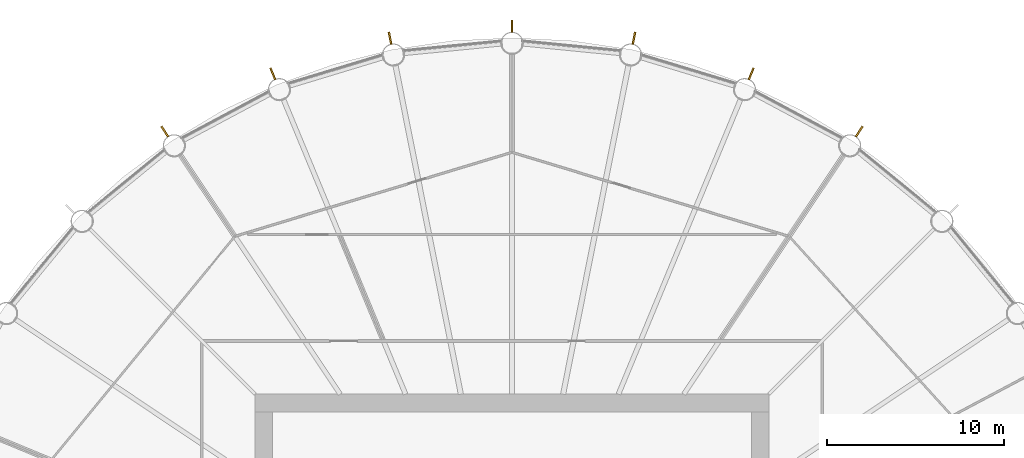
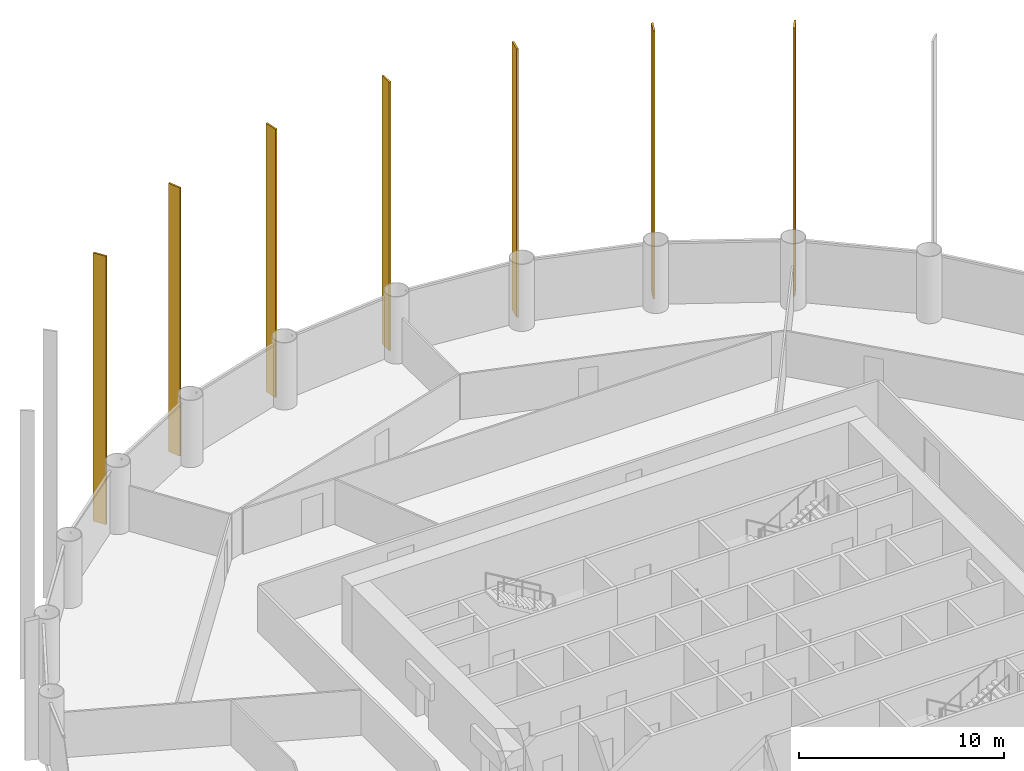
# One storey, part 10 of 10: 7 shading devices.
"""IFC4 building model written with IfcOpenShell, lengths in metres."""

import ifcopenshell
import ifcopenshell.guid

model = None  # the IFC model being written
_history = None  # IfcOwnerHistory: only IFC2X3 demands one
_inside = {}  # id of a spatial element -> (the spatial element, [elements in it])
_under = {}  # id of a project, library or spatial element -> (it, [spatial elements below it])
_declared = {}  # id of a project -> (the project, [libraries it declares])
_typed = {}  # id of a type object -> (the type object, [elements of that type])
_made_of = {}  # id of a material, layer set ... -> (it, [elements and type objects made of it])


def new_model(schema):
    """Start an empty IFC model of exactly this schema.

    Asked for "IFC4X3", IfcOpenShell would pick the latest addendum, in which some entities
    have other attributes; the version numbers below select the first issue.
    IFC2X3 requires an IfcOwnerHistory on every rooted entity: one is made here for all.
    """
    global model, _history
    if schema == "IFC4X3":
        model = ifcopenshell.file(schema_version=(4, 3, 0, 0))
    else:
        model = ifcopenshell.file(schema=schema)
    _inside.clear()
    _under.clear()
    _declared.clear()
    _typed.clear()
    _made_of.clear()
    _history = None
    if model.schema == "IFC2X3":
        org = make("IfcOrganization", Name="unknown")
        user = make(
            "IfcPersonAndOrganization",
            ThePerson=make("IfcPerson", FamilyName="unknown"),
            TheOrganization=org,
        )
        app = make(
            "IfcApplication",
            ApplicationDeveloper=org,
            Version="unknown",
            ApplicationFullName="unknown",
            ApplicationIdentifier="unknown",
        )
        _history = make(
            "IfcOwnerHistory",
            OwningUser=user,
            OwningApplication=app,
            ChangeAction="ADDED",
            CreationDate=0,
        )
    return model


def make(cls, **values):
    """One entity of the class cls with the attributes given. An attribute that is None is left unset."""
    return model.create_entity(
        cls, **{name: value for name, value in values.items() if value is not None}
    )


def rooted(cls, **values):
    """An entity with a GlobalId (a new one), such as an element, a storey or a relation."""
    return make(cls, GlobalId=ifcopenshell.guid.new(), OwnerHistory=_history, **values)


def si_unit(unit_type, name, prefix=None):
    """IfcSIUnit, for example si_unit("LENGTHUNIT", "METRE", prefix="MILLI")."""
    return make("IfcSIUnit", UnitType=unit_type, Prefix=prefix, Name=name)


def assignment(units):
    """IfcUnitAssignment: the units of a project."""
    return None if units is None else make("IfcUnitAssignment", Units=units)


def point(xyz):
    """IfcCartesianPoint."""
    return None if xyz is None else make("IfcCartesianPoint", Coordinates=xyz)


def direction(xyz):
    """IfcDirection."""
    return None if xyz is None else make("IfcDirection", DirectionRatios=xyz)


def frame(location, z_axis=None, x_axis=None):
    """IfcAxis2Placement3D, a coordinate frame: its origin and axes. An axis left out is left unset."""
    return make(
        "IfcAxis2Placement3D",
        Location=point(location),
        Axis=direction(z_axis),
        RefDirection=direction(x_axis),
    )


def frame_2d(location, x_axis=None):
    """IfcAxis2Placement2D, a coordinate frame in the plane: its origin and x axis."""
    return make(
        "IfcAxis2Placement2D", Location=point(location), RefDirection=direction(x_axis)
    )


def origin():
    """The frame at (0, 0, 0) with its axes left unset."""
    return frame((0.0, 0.0, 0.0))


def origin_2d():
    """The frame at (0, 0) in the plane with its x axis left unset."""
    return frame_2d((0.0, 0.0))


def place(relative_to, where):
    """IfcLocalPlacement: puts the frame where relative to a parent placement (None: the world)."""
    return make(
        "IfcLocalPlacement", PlacementRelTo=relative_to, RelativePlacement=where
    )


def context(
    kind, dimensions, precision=None, world=None, true_north=None, identifier=None
):
    """IfcGeometricRepresentationContext, for example the 3D "Model" context."""
    return make(
        "IfcGeometricRepresentationContext",
        ContextIdentifier=identifier,
        ContextType=kind,
        CoordinateSpaceDimension=dimensions,
        Precision=precision,
        WorldCoordinateSystem=world,
        TrueNorth=true_north,
    )


def subcontext(parent, identifier, kind, view, scale=None):
    """IfcGeometricRepresentationSubContext, for example "Body" below "Model"."""
    return make(
        "IfcGeometricRepresentationSubContext",
        ContextIdentifier=identifier,
        ContextType=kind,
        ParentContext=parent,
        TargetScale=scale,
        TargetView=view,
    )


def project(units=None, contexts=None):
    """IfcProject with its units and contexts."""
    return rooted(
        "IfcProject",
        Name="project",
        RepresentationContexts=contexts,
        UnitsInContext=assignment(units),
    )


def spatial(cls, under=None, at=None, **own):
    """A site, building, storey or space (cls), placed at a placement, below another one or the project."""
    s = rooted(cls, ObjectPlacement=at, **own)
    if under is not None:
        _under.setdefault(under.id(), (under, []))[1].append(s)
    return s


def profile(cls, at=None, kind="AREA", **sizes):
    """A parametric profile (cls). Its sizes go by their IFC names, for example OverallWidth=200.0."""
    return make(cls, ProfileType=kind, Position=at, **sizes)


def rectangle(**sizes):
    """IfcRectangleProfileDef."""
    return profile("IfcRectangleProfileDef", **sizes)


def extrude(swept, where, along, depth):
    """IfcExtrudedAreaSolid: the profile swept, set in the frame where, extruded along a direction by depth."""
    return make(
        "IfcExtrudedAreaSolid",
        SweptArea=swept,
        Position=where,
        ExtrudedDirection=direction(along),
        Depth=depth,
    )


def shape(context_of_items, identifier, shape_type, items):
    """IfcShapeRepresentation: the items that make up one representation, for example the "Body"."""
    return make(
        "IfcShapeRepresentation",
        ContextOfItems=context_of_items,
        RepresentationIdentifier=identifier,
        RepresentationType=shape_type,
        Items=items,
    )


def material(Name=None, Category=None):
    """IfcMaterial."""
    return make("IfcMaterial", Name=Name, Category=Category)


def material_profile(
    of_material, cross_section, Name=None, Category=None, Priority=None
):
    """IfcMaterialProfile: a cross section and its material."""
    return make(
        "IfcMaterialProfile",
        Name=Name,
        Material=of_material,
        Profile=cross_section,
        Priority=Priority,
        Category=Category,
    )


def profile_set(profiles, Name=None, composite=None):
    """IfcMaterialProfileSet."""
    return make(
        "IfcMaterialProfileSet",
        Name=Name,
        MaterialProfiles=profiles,
        CompositeProfile=composite,
    )


def made_of(thing, what):
    """Note that an element or type object is made of a material, layer set ...; save() writes the relation."""
    if what is not None:
        _made_of.setdefault(what.id(), (what, []))[1].append(thing)
    return thing


def type_object(cls, material=None, **own):
    """A type object (cls), such as IfcWallType, which elements share."""
    return made_of(rooted(cls, **own), material)


def element(
    cls,
    number,
    at=None,
    inside=None,
    cuts=None,
    type_object=None,
    material=None,
    context=None,
    identifier="Body",
    shape_type=None,
    held_by="IfcProductDefinitionShape",
    body=None,
    shapes=None,
    **own,
):
    """One element of the class cls, such as IfcWall. Its Tag is "e" and its number.

    at: its placement. inside: the storey or other place that contains it. cuts: it is an
    opening in that element (IfcRelVoidsElement). A single representation is given by context,
    identifier, shape_type and body (its items); several are given by shapes. held_by: the class
    of the entity that holds the representations. save() writes the other relations.
    """
    e = rooted(cls, Tag="e%d" % number, ObjectPlacement=at, **own)
    if body is not None:
        shapes = [shape(context, identifier, shape_type, body)]
    if shapes is not None:
        e.Representation = make(held_by, Representations=shapes)
    if inside is not None:
        _inside.setdefault(inside.id(), (inside, []))[1].append(e)
    if cuts is not None:
        rooted(
            "IfcRelVoidsElement", RelatingBuildingElement=cuts, RelatedOpeningElement=e
        )
    if type_object is not None:
        _typed.setdefault(type_object.id(), (type_object, []))[1].append(e)
    return made_of(e, material)


def aggregate(whole, parts):
    """IfcRelAggregates: a whole, such as a stair, and the parts it consists of."""
    return rooted("IfcRelAggregates", RelatingObject=whole, RelatedObjects=parts)


def save(model, path):
    """Write the relations noted so far, then the file.

    IfcRelAggregates (storeys below a building ...), IfcRelContainedInSpatialStructure (elements
    in a storey), IfcRelDefinesByType, IfcRelAssociatesMaterial and IfcRelDeclares: one each for
    every whole, place, type object, material and project.
    """
    for whole, parts in _under.values():
        aggregate(whole, parts)
    for where, things in _inside.values():
        rooted(
            "IfcRelContainedInSpatialStructure",
            RelatedElements=things,
            RelatingStructure=where,
        )
    for kind, things in _typed.values():
        rooted("IfcRelDefinesByType", RelatedObjects=things, RelatingType=kind)
    for what, things in _made_of.values():
        rooted("IfcRelAssociatesMaterial", RelatedObjects=things, RelatingMaterial=what)
    for by, libraries in _declared.values():
        rooted("IfcRelDeclares", RelatingContext=by, RelatedDefinitions=libraries)
    model.write(path)


model = new_model("IFC4")

# Units and contexts
model_context = context("Model", 3, precision=1e-05, world=origin(), true_north=direction((0.0, 1.0)))
body_context = subcontext(model_context, "Body", "Model", "MODEL_VIEW")
ifc_project = project(units=[si_unit("LENGTHUNIT", "METRE"), si_unit("AREAUNIT", "SQUARE_METRE"), si_unit("VOLUMEUNIT", "CUBIC_METRE"), si_unit("PLANEANGLEUNIT", "RADIAN"), si_unit("MASSUNIT", "GRAM", prefix="KILO")], contexts=[model_context])

# Site, building, storey
site_placement = place(None, origin())
site = spatial("IfcSite", under=ifc_project, at=site_placement, CompositionType="ELEMENT")
building_placement = place(site_placement, origin())
building = spatial("IfcBuilding", under=site, at=building_placement, Name="Corvane Civic Tower", CompositionType="ELEMENT")
storey_placement = place(building_placement, frame((0.0, 0.0, 90.5)))
storey = spatial("IfcBuildingStorey", under=building, at=storey_placement, Name="L20", CompositionType="ELEMENT", Elevation=90.5)

# Shading devices
ifc_material = material(Name="Anodised aluminium bronze", Category="aluminium")
ifc_material_profile = material_profile(ifc_material, rectangle(XDim=0.10009765625, YDim=0.699951171875, at=origin_2d()), Name="TOWER FIN STACK 100x700 BRONZE")
ifc_profile_set = profile_set([ifc_material_profile], Name="Anodised aluminium bronze")
shading_device_type = type_object("IfcShadingDeviceType", Name="TOWER FIN STACK 100x700 BRONZE", PredefinedType="USERDEFINED", material=ifc_profile_set)
for number, where, z_axis, x_axis, name in (
    (1, (0.0, 35.2548828125, 0.0), (0.0, 0.0, 1.0), (1.0, 0.0, 0.0), "Fin 01 L20 to L23"),
    (2, (6.8779296875, 34.57763671875, 0.0), (0.0, 0.0, 1.0), (0.980785280403, -0.195090322016, 0.0), "Fin 02 L20 to L23"),
    (3, (13.491455078125, 32.5712890625, 0.0), (0.0, 0.0, 1.0), (0.923879532511, -0.382683432365, 0.0), "Fin 03 L20 to L23"),
    (4, (19.586669921875, 29.3134765625, 0.0), (0.0, 0.0, 1.0), (0.831469612303, -0.55557023302, 0.0), "Fin 04 L20 to L23"),
    (5, (-19.586669921875, 29.3134765625, 0.0), (0.0, 0.0, 1.0), (0.831469612303, 0.55557023302, 0.0), "Fin 30 L20 to L23"),
    (6, (-13.491455078125, 32.5712890625, 0.0), (0.0, 0.0, 1.0), (0.923879532511, 0.382683432365, 0.0), "Fin 31 L20 to L23"),
    (7, (-6.8779296875, 34.57763671875, 0.0), (0.0, 0.0, 1.0), (0.980785280403, 0.195090322016, 0.0), "Fin 32 L20 to L23"),
):
    element("IfcShadingDevice", number, at=place(storey_placement, frame(where, z_axis=z_axis, x_axis=x_axis)), inside=storey, type_object=shading_device_type, Name=name, ObjectType="FIN", PredefinedType="USERDEFINED", context=body_context, shape_type="SweptSolid", body=[
        extrude(rectangle(XDim=0.10009765625, YDim=0.699951171875, at=origin_2d()), origin(), (0.0, 0.0, 1.0), 16.0),
    ])

save(model, "model.ifc")
